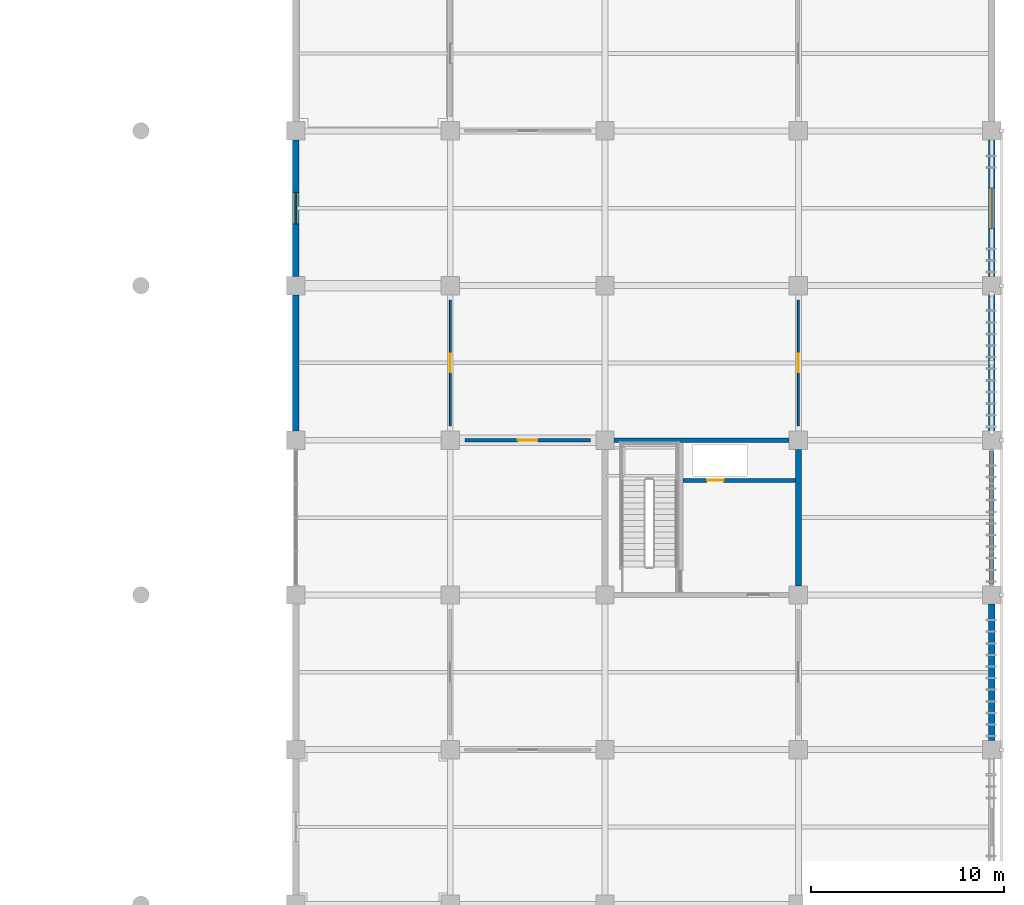
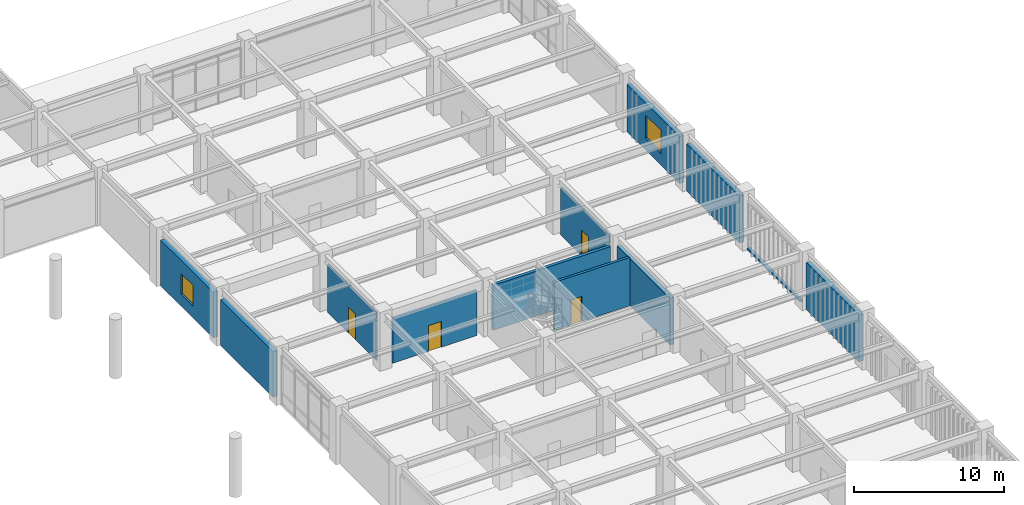
# One storey, part 78 of 109: 12 walls, 4 doors, 2 windows, 6 openings.
"""IFC4 building model written with IfcOpenShell, lengths in metres."""

from ifc_helpers import new_model, si_unit, direction, frame, frame_2d, origin, place, context, subcontext, project, spatial, rectangle, extrude, material, layer, layer_set, type_object, element, fill, save


model = new_model("IFC4")

# Units and contexts
model_context = context("Model", 3, precision=1e-05, world=origin(), true_north=direction((0.0, 1.0)))
body_context = subcontext(model_context, "Body", "Model", "MODEL_VIEW")
ifc_project = project(units=[si_unit("LENGTHUNIT", "METRE"), si_unit("AREAUNIT", "SQUARE_METRE"), si_unit("VOLUMEUNIT", "CUBIC_METRE"), si_unit("PLANEANGLEUNIT", "RADIAN"), si_unit("MASSUNIT", "GRAM", prefix="KILO")], contexts=[model_context])

# Site, building, storey
site_placement = place(None, origin())
site = spatial("IfcSite", under=ifc_project, at=site_placement, CompositionType="ELEMENT")
building_placement = place(site_placement, origin())
building = spatial("IfcBuilding", under=site, at=building_placement, Name="Haebicheon Civic Stadium", CompositionType="ELEMENT")
storey_placement = place(building_placement, frame((0.0, 0.0, 9.60009765625)))
storey = spatial("IfcBuildingStorey", under=building, at=storey_placement, Name="L03", CompositionType="ELEMENT", Elevation=9.60009765625)

# Walls
ifc_material_1 = material(Name="Concrete C40/50", Category="concrete")
ifc_layer_1 = layer(ifc_material_1, 0.239990234375, Name="Concrete C40/50")
ifc_layer_set_1 = layer_set([ifc_layer_1], Name="Concrete C40/50")
wall_type_1 = type_object("IfcWallType", Name="CW-SHR-240", PredefinedType="SHEAR", material=ifc_layer_set_1)
wall_1_placement = place(storey_placement, frame((216.47509765625, 112.0, 0.0), z_axis=(0.0, 0.0, 1.0), x_axis=(1.0, 0.0, 0.0)))
element("IfcWall", 1, at=wall_1_placement, inside=storey, type_object=wall_type_1, material=ifc_layer_set_1, Name="KC-13 L03 north core shear wall", PredefinedType="SHEAR", context=body_context, shape_type="SweptSolid", body=[
    extrude(rectangle(XDim=9.0498046875, YDim=0.239990234375, at=frame_2d((4.52490234375, 0.0))), origin(), (0.0, 0.0, 1.0), 3.679931640625),
])
ifc_material_2 = material(Name="Concrete C40/50", Category="concrete")
ifc_layer_2 = layer(ifc_material_2, 0.300048828125, Name="Concrete C40/50")
ifc_layer_set_2 = layer_set([ifc_layer_2], Name="Concrete C40/50")
wall_type_2 = type_object("IfcWallType", Name="CW-SHR-300", PredefinedType="SHEAR", material=ifc_layer_set_2)
wall_2_placement = place(storey_placement, frame((226.0, 104.47509765625, 0.0), z_axis=(0.0, 0.0, 1.0), x_axis=(0.0, 1.0, 0.0)))
element("IfcWall", 2, at=wall_2_placement, inside=storey, type_object=wall_type_2, material=ifc_layer_set_2, Name="KC-13 L03 east core shear wall", PredefinedType="SHEAR", context=body_context, shape_type="SweptSolid", body=[
    extrude(rectangle(XDim=7.0498046875, YDim=0.300048828125, at=frame_2d((3.52490234375, 0.0))), origin(), (0.0, 0.0, 1.0), 3.829833984375),
])
ifc_material_3 = material(Name="Concrete C40/50", Category="concrete")
ifc_layer_3 = layer(ifc_material_3, 0.35009765625, Name="Concrete C40/50")
ifc_layer_set_3 = layer_set([ifc_layer_3], Name="Concrete C40/50")
wall_type_3 = type_object("IfcWallType", Name="EW-BM-350", PredefinedType="SOLIDWALL", material=ifc_layer_set_3)
wall_3_placement = place(storey_placement, frame((200.0, 112.47509765625, 0.0), z_axis=(0.0, 0.0, 1.0), x_axis=(0.0, 1.0, 0.0)))
element("IfcWall", 3, at=wall_3_placement, inside=storey, type_object=wall_type_3, material=ifc_layer_set_3, Name="L03 board-marked concrete facade wall 25-14-W", PredefinedType="SOLIDWALL", context=body_context, shape_type="SweptSolid", body=[
    extrude(rectangle(XDim=7.0498046875, YDim=0.35009765625, at=frame_2d((3.52490234375, 0.0))), origin(), (0.0, 0.0, 1.0), 3.719970703125),
])

# Wall, opening, window
wall_4_placement = place(storey_placement, frame((200.0, 120.47509765625, 0.0), z_axis=(0.0, 0.0, 1.0), x_axis=(0.0, 1.0, 0.0)))
wall_4 = element("IfcWall", 4, at=wall_4_placement, inside=storey, type_object=wall_type_3, material=ifc_layer_set_3, Name="L03 board-marked concrete facade wall 25-15-W", PredefinedType="SOLIDWALL", context=body_context, shape_type="SweptSolid", body=[
    extrude(rectangle(XDim=7.0498046875, YDim=0.35009765625, at=frame_2d((3.52490234375, 0.0))), origin(), (0.0, 0.0, 1.0), 3.719970703125),
])
opening_1_placement = place(wall_4_placement, frame((2.699951171875, 0.0, 0.949951171875)))
opening_1 = element("IfcOpeningElement", 5, at=opening_1_placement, cuts=wall_4, Name="Opening WIN-165x170", PredefinedType="OPENING", context=body_context, shape_type="SweptSolid", body=[
    extrude(rectangle(XDim=1.64990234375, YDim=1.699951171875, at=frame_2d((0.824951171875, 0.85009765625))), frame((0.0, 0.18505859375, 0.0), z_axis=(0.0, -1.0, 0.0), x_axis=(1.0, 0.0, 0.0)), (0.0, 0.0, 1.0), 0.3701171875),
])
ifc_material_4 = material(Name="Anodised aluminium and laminated glass", Category="aluminium")
window_type_1 = type_object("IfcWindowType", Name="WIN-165x170", PartitioningType="SINGLE_PANEL", PredefinedType="WINDOW", material=ifc_material_4)
window_1_placement = place(opening_1_placement, origin())
window_1 = element("IfcWindow", 6, at=window_1_placement, inside=storey, type_object=window_type_1, material=ifc_material_4, Name="L03 facade window 094", OverallHeight=1.699951171875, OverallWidth=1.64990234375, PartitioningType="SINGLE_PANEL", PredefinedType="WINDOW", context=body_context, shape_type="SweptSolid", body=[
    extrude(rectangle(XDim=1.64990234375, YDim=1.699951171875, at=frame_2d((0.824951171875, 0.85009765625))), frame((0.0, 0.030029296875, 0.0), z_axis=(0.0, -1.0, 0.0), x_axis=(1.0, 0.0, 0.0)), (0.0, 0.0, 1.0), 0.06005859375),
])
fill(opening_1, window_1)

# Walls
for number, where, z_axis, x_axis, name in (
    (7, (236.0, 96.47509765625, 0.0), (0.0, 0.0, 1.0), (0.0, 1.0, 0.0), "L03 board-marked concrete facade wall 29-12-E"),
    (8, (236.0, 112.47509765625, 0.0), (0.0, 0.0, 1.0), (0.0, 1.0, 0.0), "L03 board-marked concrete facade wall 29-14-E"),
):
    element("IfcWall", number, at=place(storey_placement, frame(where, z_axis=z_axis, x_axis=x_axis)), inside=storey, type_object=wall_type_3, material=ifc_layer_set_3, Name=name, PredefinedType="SOLIDWALL", context=body_context, shape_type="SweptSolid", body=[
        extrude(rectangle(XDim=7.0498046875, YDim=0.35009765625, at=frame_2d((3.52490234375, 0.0))), origin(), (0.0, 0.0, 1.0), 3.829833984375),
    ])

# Wall, opening, window
wall_5_placement = place(storey_placement, frame((236.0, 120.47509765625, 0.0), z_axis=(0.0, 0.0, 1.0), x_axis=(0.0, 1.0, 0.0)))
wall_5 = element("IfcWall", 9, at=wall_5_placement, inside=storey, type_object=wall_type_3, material=ifc_layer_set_3, Name="L03 board-marked concrete facade wall 29-15-E", PredefinedType="SOLIDWALL", context=body_context, shape_type="SweptSolid", body=[
    extrude(rectangle(XDim=7.0498046875, YDim=0.35009765625, at=frame_2d((3.52490234375, 0.0))), origin(), (0.0, 0.0, 1.0), 3.829833984375),
])
opening_2_placement = place(wall_5_placement, frame((2.47509765625, 0.0, 0.949951171875)))
opening_2 = element("IfcOpeningElement", 10, at=opening_2_placement, cuts=wall_5, Name="Opening WIN-210x190", PredefinedType="OPENING", context=body_context, shape_type="SweptSolid", body=[
    extrude(rectangle(XDim=2.10009765625, YDim=1.89990234375, at=frame_2d((1.050048828125, 0.949951171875))), frame((0.0, 0.18505859375, 0.0), z_axis=(0.0, -1.0, 0.0), x_axis=(1.0, 0.0, 0.0)), (0.0, 0.0, 1.0), 0.3701171875),
])
ifc_material_5 = material(Name="Anodised aluminium and laminated glass", Category="aluminium")
window_type_2 = type_object("IfcWindowType", Name="WIN-210x190", PartitioningType="SINGLE_PANEL", PredefinedType="WINDOW", material=ifc_material_5)
window_2_placement = place(opening_2_placement, origin())
window_2 = element("IfcWindow", 11, at=window_2_placement, inside=storey, type_object=window_type_2, material=ifc_material_5, Name="L03 facade window 097", OverallHeight=1.89990234375, OverallWidth=2.10009765625, PartitioningType="SINGLE_PANEL", PredefinedType="WINDOW", context=body_context, shape_type="SweptSolid", body=[
    extrude(rectangle(XDim=2.10009765625, YDim=1.89990234375, at=frame_2d((1.050048828125, 0.949951171875))), frame((0.0, 0.030029296875, 0.0), z_axis=(0.0, -1.0, 0.0), x_axis=(1.0, 0.0, 0.0)), (0.0, 0.0, 1.0), 0.06005859375),
])
fill(opening_2, window_2)

# Wall
ifc_material_6 = material(Name="Precast concrete C40/50", Category="concrete")
ifc_layer_4 = layer(ifc_material_6, 0.219970703125, Name="Precast concrete C40/50")
ifc_layer_set_4 = layer_set([ifc_layer_4], Name="Precast concrete C40/50")
wall_type_4 = type_object("IfcWallType", Name="EW-PAR-220", PredefinedType="PARAPET", material=ifc_layer_set_4)
wall_6_placement = place(storey_placement, frame((236.0, 104.47509765625, 0.0), z_axis=(0.0, 0.0, 1.0), x_axis=(0.0, 1.0, 0.0)))
element("IfcWall", 12, at=wall_6_placement, inside=storey, type_object=wall_type_4, material=ifc_layer_set_4, Name="L03 curtain-wall concrete upstand kerb", PredefinedType="PARAPET", context=body_context, shape_type="SweptSolid", body=[
    extrude(rectangle(XDim=7.0498046875, YDim=0.219970703125, at=frame_2d((3.52490234375, 0.0))), origin(), (0.0, 0.0, 1.0), 0.159912109375),
])

# Wall, opening, door
ifc_material_7 = material(Name="Concrete C35/45", Category="concrete")
ifc_layer_5 = layer(ifc_material_7, 0.199951171875, Name="Concrete C35/45")
ifc_layer_set_5 = layer_set([ifc_layer_5], Name="Concrete C35/45")
wall_type_5 = type_object("IfcWallType", Name="IW-FIR-200", PredefinedType="PARTITIONING", material=ifc_layer_set_5)
wall_7_placement = place(storey_placement, frame((220.030029296875, 109.919921875, 0.0), z_axis=(0.0, 0.0, 1.0), x_axis=(1.0, 0.0, 0.0)))
wall_7 = element("IfcWall", 13, at=wall_7_placement, inside=storey, type_object=wall_type_5, material=ifc_layer_set_5, Name="KC-13 L03 service riser wall", PredefinedType="PARTITIONING", context=body_context, shape_type="SweptSolid", body=[
    extrude(rectangle(XDim=5.820068359375, YDim=0.199951171875, at=frame_2d((2.91015625, 0.0))), origin(), (0.0, 0.0, 1.0), 3.929931640625),
])
opening_3_placement = place(wall_7_placement, frame((1.25, 0.0, 0.0)))
opening_3 = element("IfcOpeningElement", 14, at=opening_3_placement, cuts=wall_7, Name="Opening D-L03-KC-13-RSR", PredefinedType="OPENING", context=body_context, shape_type="SweptSolid", body=[
    extrude(rectangle(XDim=0.85009765625, YDim=2.050048828125, at=frame_2d((0.425048828125, 1.02490234375))), frame((0.0, 0.10986328125, 0.0), z_axis=(0.0, -1.0, 0.0), x_axis=(1.0, 0.0, 0.0)), (0.0, 0.0, 1.0), 0.219970703125),
])
ifc_material_8 = material(Name="Galvanised painted steel SM355", Category="steel")
door_type_1 = type_object("IfcDoorType", Name="ID-RSR-0850", OperationType="NOTDEFINED", PredefinedType="TRAPDOOR", material=ifc_material_8)
door_1_placement = place(opening_3_placement, origin())
door_1 = element("IfcDoor", 15, at=door_1_placement, inside=storey, type_object=door_type_1, material=ifc_material_8, Name="L03 KC-13 riser access door", OperationType="SINGLE_SWING_LEFT", OverallHeight=2.050048828125, OverallWidth=0.85009765625, PredefinedType="TRAPDOOR", context=body_context, shape_type="SweptSolid", body=[
    extrude(rectangle(XDim=0.85009765625, YDim=2.050048828125, at=frame_2d((0.425048828125, 1.02490234375))), frame((0.0, 0.02490234375, 0.0), z_axis=(0.0, -1.0, 0.0), x_axis=(1.0, 0.0, 0.0)), (0.0, 0.0, 1.0), 0.050048828125),
])
fill(opening_3, door_1)

ifc_material_9 = material(Name="Anodised aluminium and laminated glass", Category="aluminium")
ifc_layer_6 = layer(ifc_material_9, 0.10009765625, Name="Anodised aluminium and laminated glass")
ifc_layer_set_6 = layer_set([ifc_layer_6], Name="Anodised aluminium and laminated glass")
wall_type_6 = type_object("IfcWallType", Name="IW-PRT-100", PredefinedType="PARTITIONING", material=ifc_layer_set_6)
wall_8_placement = place(storey_placement, frame((208.0, 112.75, 0.0), z_axis=(0.0, 0.0, 1.0), x_axis=(0.0, 1.0, 0.0)))
wall_8 = element("IfcWall", 16, at=wall_8_placement, inside=storey, type_object=wall_type_6, material=ifc_layer_set_6, Name="L03 Sports Science Teaching Lab partition wall", PredefinedType="PARTITIONING", context=body_context, shape_type="SweptSolid", body=[
    extrude(rectangle(XDim=6.5, YDim=0.10009765625, at=frame_2d((3.25, 0.0))), origin(), (0.0, 0.0, 1.0), 3.929931640625),
])
opening_4_placement = place(wall_8_placement, frame((2.77490234375, 0.0, 0.0)))
opening_4 = element("IfcOpeningElement", 17, at=opening_4_placement, cuts=wall_8, Name="Opening D-L03-299", PredefinedType="OPENING", context=body_context, shape_type="SweptSolid", body=[
    extrude(rectangle(XDim=0.949951171875, YDim=2.10009765625, at=frame_2d((0.47509765625, 1.050048828125))), frame((0.0, 0.06005859375, 0.0), z_axis=(0.0, -1.0, 0.0), x_axis=(1.0, 0.0, 0.0)), (0.0, 0.0, 1.0), 0.1201171875),
])
ifc_material_10 = material(Name="Engineered hardwood timber", Category="wood")
door_type_2 = type_object("IfcDoorType", Name="ID-RM-0950", OperationType="NOTDEFINED", PredefinedType="DOOR", material=ifc_material_10)
door_2_placement = place(opening_4_placement, origin())
door_2 = element("IfcDoor", 18, at=door_2_placement, inside=storey, type_object=door_type_2, material=ifc_material_10, Name="L03 Sports Science Teaching Lab entrance door D-L03-299", OperationType="SINGLE_SWING_LEFT", OverallHeight=2.10009765625, OverallWidth=0.949951171875, PredefinedType="DOOR", context=body_context, shape_type="SweptSolid", body=[
    extrude(rectangle(XDim=0.949951171875, YDim=2.10009765625, at=frame_2d((0.47509765625, 1.050048828125))), frame((0.0, 0.02490234375, 0.0), z_axis=(0.0, -1.0, 0.0), x_axis=(1.0, 0.0, 0.0)), (0.0, 0.0, 1.0), 0.050048828125),
])
fill(opening_4, door_2)

wall_9_placement = place(storey_placement, frame((226.0, 112.75, 0.0), z_axis=(0.0, 0.0, 1.0), x_axis=(0.0, 1.0, 0.0)))
wall_9 = element("IfcWall", 19, at=wall_9_placement, inside=storey, type_object=wall_type_6, material=ifc_layer_set_6, Name="L03 Youth Sports Classroom partition wall", PredefinedType="PARTITIONING", context=body_context, shape_type="SweptSolid", body=[
    extrude(rectangle(XDim=6.5, YDim=0.10009765625, at=frame_2d((3.25, 0.0))), origin(), (0.0, 0.0, 1.0), 3.929931640625),
])
opening_5_placement = place(wall_9_placement, frame((2.77490234375, 0.0, 0.0)))
opening_5 = element("IfcOpeningElement", 20, at=opening_5_placement, cuts=wall_9, Name="Opening D-L03-313", PredefinedType="OPENING", context=body_context, shape_type="SweptSolid", body=[
    extrude(rectangle(XDim=0.949951171875, YDim=2.10009765625, at=frame_2d((0.47509765625, 1.050048828125))), frame((0.0, 0.06005859375, 0.0), z_axis=(0.0, -1.0, 0.0), x_axis=(1.0, 0.0, 0.0)), (0.0, 0.0, 1.0), 0.1201171875),
])
door_3_placement = place(opening_5_placement, origin())
door_3 = element("IfcDoor", 21, at=door_3_placement, inside=storey, type_object=door_type_2, material=ifc_material_10, Name="L03 Youth Sports Classroom entrance door D-L03-313", OperationType="SINGLE_SWING_LEFT", OverallHeight=2.10009765625, OverallWidth=0.949951171875, PredefinedType="DOOR", context=body_context, shape_type="SweptSolid", body=[
    extrude(rectangle(XDim=0.949951171875, YDim=2.10009765625, at=frame_2d((0.47509765625, 1.050048828125))), frame((0.0, 0.02490234375, 0.0), z_axis=(0.0, -1.0, 0.0), x_axis=(1.0, 0.0, 0.0)), (0.0, 0.0, 1.0), 0.050048828125),
])
fill(opening_5, door_3)

ifc_material_11 = material(Name="Concrete C35/45", Category="concrete")
ifc_layer_7 = layer(ifc_material_11, 0.159912109375, Name="Concrete C35/45")
ifc_layer_set_7 = layer_set([ifc_layer_7], Name="Concrete C35/45")
wall_type_7 = type_object("IfcWallType", Name="IW-PRT-160", PredefinedType="PARTITIONING", material=ifc_layer_set_7)
wall_10_placement = place(storey_placement, frame((208.75, 112.0, 0.0), z_axis=(0.0, 0.0, 1.0), x_axis=(1.0, 0.0, 0.0)))
wall_10 = element("IfcWall", 22, at=wall_10_placement, inside=storey, type_object=wall_type_7, material=ifc_layer_set_7, Name="L03 Sports Medicine Rehabilitation Clinic partition wall", PredefinedType="PARTITIONING", context=body_context, shape_type="SweptSolid", body=[
    extrude(rectangle(XDim=6.5, YDim=0.159912109375, at=frame_2d((3.25, 0.0))), origin(), (0.0, 0.0, 1.0), 3.679931640625),
])
opening_6_placement = place(wall_10_placement, frame((2.75, 0.0, 0.0)))
opening_6 = element("IfcOpeningElement", 23, at=opening_6_placement, cuts=wall_10, Name="Opening D-L03-306", PredefinedType="OPENING", context=body_context, shape_type="SweptSolid", body=[
    extrude(rectangle(XDim=1.0, YDim=2.10009765625, at=frame_2d((0.5, 1.050048828125))), frame((0.0, 0.08984375, 0.0), z_axis=(0.0, -1.0, 0.0), x_axis=(1.0, 0.0, 0.0)), (0.0, 0.0, 1.0), 0.179931640625),
])
ifc_material_12 = material(Name="Engineered hardwood timber", Category="wood")
door_type_3 = type_object("IfcDoorType", Name="ID-RM-1000", OperationType="NOTDEFINED", PredefinedType="DOOR", material=ifc_material_12)
door_4_placement = place(opening_6_placement, origin())
door_4 = element("IfcDoor", 24, at=door_4_placement, inside=storey, type_object=door_type_3, material=ifc_material_12, Name="L03 Sports Medicine Rehabilitation Clinic entrance door D-L03-306", OperationType="SINGLE_SWING_RIGHT", OverallHeight=2.10009765625, OverallWidth=1.0, PredefinedType="DOOR", context=body_context, shape_type="SweptSolid", body=[
    extrude(rectangle(XDim=1.0, YDim=2.10009765625, at=frame_2d((0.5, 1.050048828125))), frame((0.0, 0.02490234375, 0.0), z_axis=(0.0, -1.0, 0.0), x_axis=(1.0, 0.0, 0.0)), (0.0, 0.0, 1.0), 0.050048828125),
])
fill(opening_6, door_4)

save(model, "model.ifc")
